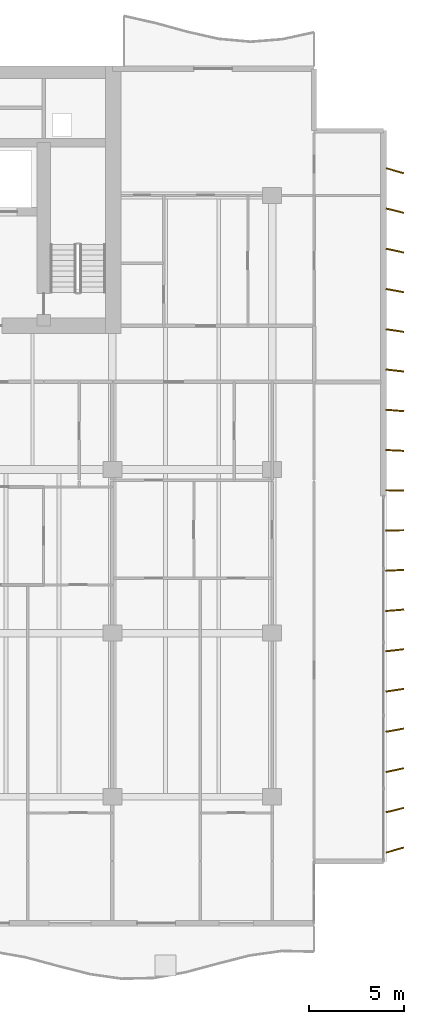
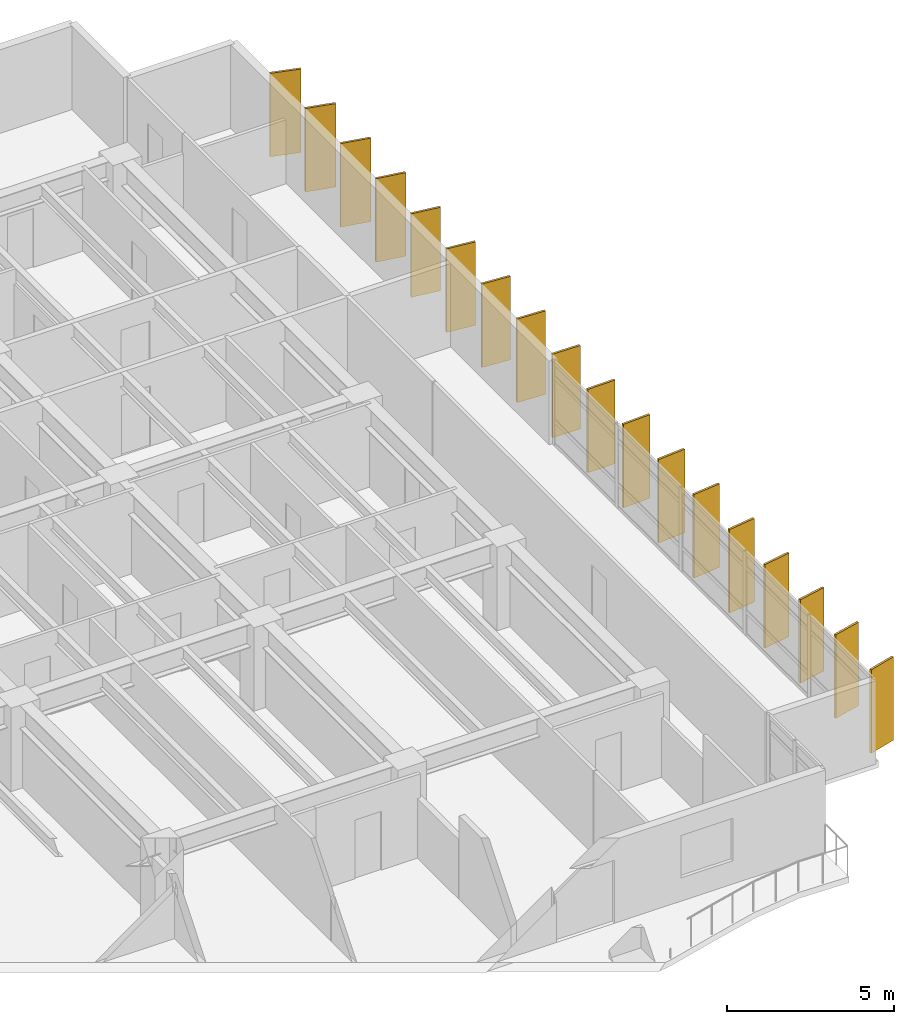
# One storey, part 15 of 15: 18 shading devices.
"""IFC4 building model written with IfcOpenShell, lengths in metres."""

from ifc_helpers import new_model, si_unit, direction, frame, origin, origin_2d, place, context, subcontext, project, spatial, rectangle, extrude, material, material_profile, profile_set, type_object, element, save


model = new_model("IFC4")

# Units and contexts
model_context = context("Model", 3, precision=1e-05, world=origin(), true_north=direction((0.0, 1.0)))
body_context = subcontext(model_context, "Body", "Model", "MODEL_VIEW")
ifc_project = project(units=[si_unit("LENGTHUNIT", "METRE"), si_unit("AREAUNIT", "SQUARE_METRE"), si_unit("VOLUMEUNIT", "CUBIC_METRE"), si_unit("PLANEANGLEUNIT", "RADIAN"), si_unit("MASSUNIT", "GRAM", prefix="KILO")], contexts=[model_context])

# Site, building, storey
site_placement = place(None, origin())
site = spatial("IfcSite", under=ifc_project, at=site_placement, CompositionType="ELEMENT")
building_placement = place(site_placement, origin())
building = spatial("IfcBuilding", under=site, at=building_placement, Name="Caelmar Bay Residences", CompositionType="ELEMENT")
storey_placement = place(building_placement, frame((0.0, 0.0, 132.300048828125)))
storey = spatial("IfcBuildingStorey", under=building, at=storey_placement, Name="L36", CompositionType="ELEMENT", Elevation=132.300048828125)

# Shading devices
ifc_material = material(Name="Anodised architectural bronze aluminium 6063-T6", Category="aluminium")
ifc_material_profile = material_profile(ifc_material, rectangle(XDim=0.074951171875, YDim=0.949951171875, at=origin_2d()), Name="BRONZE-FIN-75X950")
ifc_profile_set = profile_set([ifc_material_profile], Name="Anodised architectural bronze aluminium 6063-T6")
shading_device_type = type_object("IfcShadingDeviceType", Name="SHD-FIN-950", PredefinedType="USERDEFINED", material=ifc_profile_set)
for number, where, z_axis, x_axis, name in (
    (1, (74.35009765625, 9.39990234375, 0.0), (0.0, 0.0, 1.0), (-0.275637355817, 0.961261695938, 0.0), "L36 East Bronze Solar Fin 1"),
    (2, (74.35009765625, 11.5, 0.0), (0.0, 0.0, 1.0), (-0.243953546137, 0.969786918517, 0.0), "L36 East Bronze Solar Fin 2"),
    (3, (74.35009765625, 13.60009765625, 0.0), (0.0, 0.0, 1.0), (-0.212007109922, 0.977268123568, 0.0), "L36 East Bronze Solar Fin 3"),
    (4, (74.35009765625, 15.699951171875, 0.0), (0.0, 0.0, 1.0), (-0.179660748593, 0.98372862895, 0.0), "L36 East Bronze Solar Fin 4"),
    (5, (74.35009765625, 17.800048828125, 0.0), (0.0, 0.0, 1.0), (-0.147291543397, 0.989093120613, 0.0), "L36 East Bronze Solar Fin 5"),
    (6, (74.35009765625, 19.89990234375, 0.0), (0.0, 0.0, 1.0), (-0.114763772489, 0.993392810787, 0.0), "L36 East Bronze Solar Fin 6"),
    (7, (74.35009765625, 22.0, 0.0), (0.0, 0.0, 1.0), (-0.08211245342, 0.996623070671, 0.0), "L36 East Bronze Solar Fin 7"),
    (8, (74.35009765625, 24.10009765625, 0.0), (0.0, 0.0, 1.0), (-0.049198415926, 0.998789024705, 0.0), "L36 East Bronze Solar Fin 8"),
    (9, (74.35009765625, 26.199951171875, 0.0), (0.0, 0.0, 1.0), (-0.016405359001, 0.999865423043, 0.0), "L36 East Bronze Solar Fin 9"),
    (10, (74.35009765625, 28.300048828125, 0.0), (0.0, 0.0, 1.0), (0.016405359001, 0.999865423043, 0.0), "L36 East Bronze Solar Fin 10"),
    (11, (74.35009765625, 30.39990234375, 0.0), (0.0, 0.0, 1.0), (0.049198415926, 0.998789024705, 0.0), "L36 East Bronze Solar Fin 11"),
    (12, (74.35009765625, 32.5, 0.0), (0.0, 0.0, 1.0), (0.08211245342, 0.996623070671, 0.0), "L36 East Bronze Solar Fin 12"),
    (13, (74.35009765625, 34.60009765625, 0.0), (0.0, 0.0, 1.0), (0.114763772489, 0.993392810787, 0.0), "L36 East Bronze Solar Fin 13"),
    (14, (74.35009765625, 36.699951171875, 0.0), (0.0, 0.0, 1.0), (0.147291543397, 0.989093120613, 0.0), "L36 East Bronze Solar Fin 14"),
    (15, (74.35009765625, 38.800048828125, 0.0), (0.0, 0.0, 1.0), (0.179660748593, 0.98372862895, 0.0), "L36 East Bronze Solar Fin 15"),
    (16, (74.35009765625, 40.89990234375, 0.0), (0.0, 0.0, 1.0), (0.212007109922, 0.977268123568, 0.0), "L36 East Bronze Solar Fin 16"),
    (17, (74.35009765625, 43.0, 0.0), (0.0, 0.0, 1.0), (0.243953546137, 0.969786918517, 0.0), "L36 East Bronze Solar Fin 17"),
    (18, (74.35009765625, 45.10009765625, 0.0), (0.0, 0.0, 1.0), (0.275637355817, 0.961261695938, 0.0), "L36 East Bronze Solar Fin 18"),
):
    element("IfcShadingDevice", number, at=place(storey_placement, frame(where, z_axis=z_axis, x_axis=x_axis)), inside=storey, type_object=shading_device_type, Name=name, ObjectType="FIN", PredefinedType="USERDEFINED", context=body_context, shape_type="SweptSolid", body=[
        extrude(rectangle(XDim=0.074951171875, YDim=0.949951171875, at=origin_2d()), origin(), (0.0, 0.0, 1.0), 3.050048828125),
    ])

save(model, "model.ifc")
